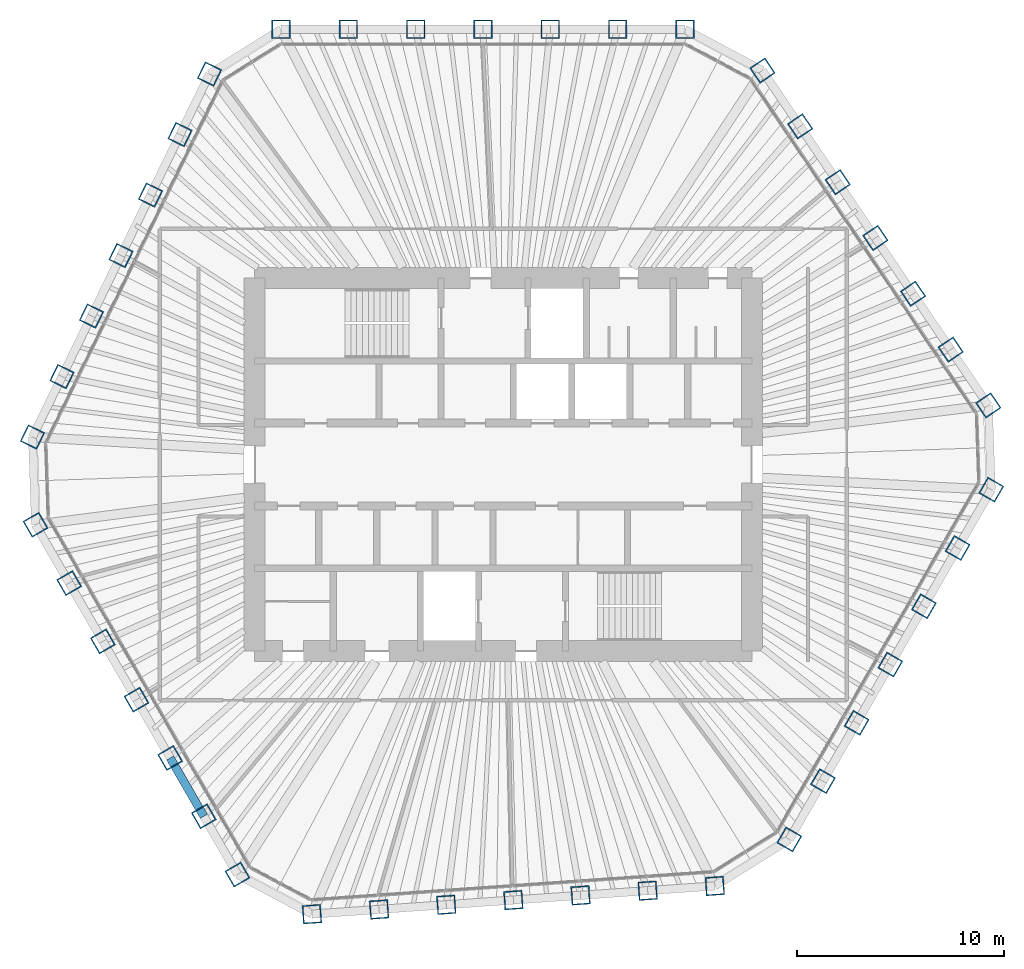
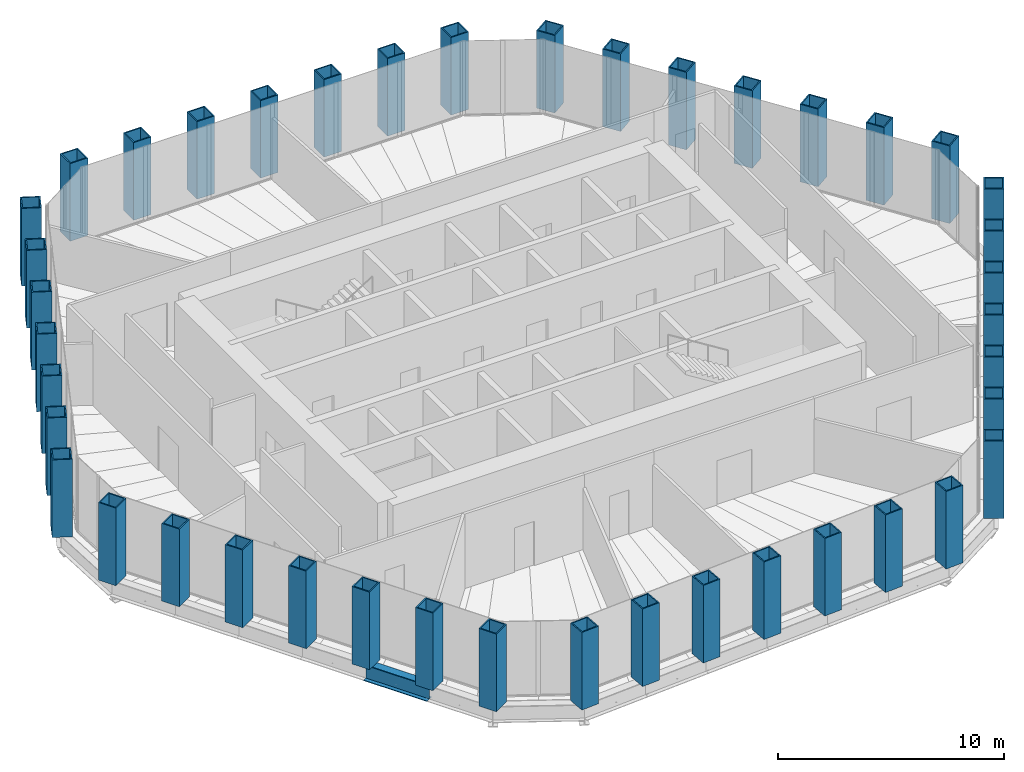
# One storey, part 1 of 14: 42 columns, 1 beam.
"""IFC4 building model written with IfcOpenShell, lengths in metres."""

from ifc_helpers import new_model, si_unit, direction, frame, origin, origin_2d, place, context, subcontext, project, spatial, hollow_rectangle, i_section, extrude, material, material_profile, profile_set, type_object, element, save


model = new_model("IFC4")

# Units and contexts
model_context = context("Model", 3, precision=1e-05, world=origin(), true_north=direction((0.0, 1.0)))
body_context = subcontext(model_context, "Body", "Model", "MODEL_VIEW")
ifc_project = project(units=[si_unit("LENGTHUNIT", "METRE"), si_unit("AREAUNIT", "SQUARE_METRE"), si_unit("VOLUMEUNIT", "CUBIC_METRE"), si_unit("PLANEANGLEUNIT", "RADIAN"), si_unit("MASSUNIT", "GRAM", prefix="KILO")], contexts=[model_context])

# Site, building, storey
site_placement = place(None, origin())
site = spatial("IfcSite", under=ifc_project, at=site_placement, CompositionType="ELEMENT")
building_placement = place(site_placement, origin())
building = spatial("IfcBuilding", under=site, at=building_placement, Name="Qingtian Harvest Tower", CompositionType="ELEMENT")
storey_placement = place(building_placement, frame((0.0, 0.0, 291.39990234375)))
storey = spatial("IfcBuildingStorey", under=building, at=storey_placement, Name="L64", CompositionType="ELEMENT", Elevation=291.39990234375)

# Columns
ifc_material_1 = material(Name="Steel SM570MC", Category="steel")
ifc_material_profile_1 = material_profile(ifc_material_1, hollow_rectangle(XDim=0.89990234375, YDim=0.89990234375, WallThickness=0.06005859375, at=origin_2d()), Name="BOX900x900x60")
ifc_profile_set_1 = profile_set([ifc_material_profile_1], Name="Steel SM570MC")
column_type = type_object("IfcColumnType", Name="Tube column TC7 BOX900x900x60", PredefinedType="COLUMN", material=ifc_profile_set_1)
for number, where, z_axis, x_axis, name in (
    (1, (-10.72216796875, 21.0, 0.0), (0.0, 0.0, 1.0), (-1.0, 0.0, 0.0), "Tube column TC7 N0"),
    (2, (-7.47412109375, 21.0, 0.0), (0.0, 0.0, 1.0), (-1.0, 0.0, 0.0), "Tube column TC7 N1"),
    (3, (-4.226318359375, 21.0, 0.0), (0.0, 0.0, 1.0), (-1.0, 0.0, 0.0), "Tube column TC7 N2"),
    (4, (-0.978271484375, 21.0, 0.0), (0.0, 0.0, 1.0), (-1.0, 0.0, 0.0), "Tube column TC7 N3"),
    (5, (2.269775390625, 21.0, 0.0), (0.0, 0.0, 1.0), (-1.0, 0.0, 0.0), "Tube column TC7 N4"),
    (6, (5.517822265625, 21.0, 0.0), (0.0, 0.0, 1.0), (-1.0, 0.0, 0.0), "Tube column TC7 N5"),
    (7, (8.765869140625, 21.0, 0.0), (0.0, 0.0, 1.0), (-1.0, 0.0, 0.0), "Tube column TC7 N6"),
    (8, (12.508056640625, 19.01025390625, 0.0), (0.0, 0.0, 1.0), (-0.559192903471, 0.829037572555, 0.0), "Tube column TC7 NE0"),
    (9, (14.32421875, 16.317626953125, 0.0), (0.0, 0.0, 1.0), (-0.559192903471, 0.829037572555, 0.0), "Tube column TC7 NE1"),
    (10, (16.140625, 13.624755859375, 0.0), (0.0, 0.0, 1.0), (-0.559192903471, 0.829037572555, 0.0), "Tube column TC7 NE2"),
    (11, (17.956787109375, 10.93212890625, 0.0), (0.0, 0.0, 1.0), (-0.559192903471, 0.829037572555, 0.0), "Tube column TC7 NE3"),
    (12, (19.77294921875, 8.2392578125, 0.0), (0.0, 0.0, 1.0), (-0.559192903471, 0.829037572555, 0.0), "Tube column TC7 NE4"),
    (13, (21.58935546875, 5.546630859375, 0.0), (0.0, 0.0, 1.0), (-0.559192903471, 0.829037572555, 0.0), "Tube column TC7 NE5"),
    (14, (23.405517578125, 2.85400390625, 0.0), (0.0, 0.0, 1.0), (-0.559192903471, 0.829037572555, 0.0), "Tube column TC7 NE6"),
    (15, (23.547607421875, -1.21435546875, 0.0), (0.0, 0.0, 1.0), (0.5, 0.866025403784, 0.0), "Tube column TC7 SE0"),
    (16, (21.923583984375, -4.027099609375, 0.0), (0.0, 0.0, 1.0), (0.5, 0.866025403784, 0.0), "Tube column TC7 SE1"),
    (17, (20.299560546875, -6.840087890625, 0.0), (0.0, 0.0, 1.0), (0.5, 0.866025403784, 0.0), "Tube column TC7 SE2"),
    (18, (18.675537109375, -9.65283203125, 0.0), (0.0, 0.0, 1.0), (0.5, 0.866025403784, 0.0), "Tube column TC7 SE3"),
    (19, (17.051513671875, -12.4658203125, 0.0), (0.0, 0.0, 1.0), (0.5, 0.866025403784, 0.0), "Tube column TC7 SE4"),
    (20, (15.427490234375, -15.278564453125, 0.0), (0.0, 0.0, 1.0), (0.5, 0.866025403784, 0.0), "Tube column TC7 SE5"),
    (21, (13.803466796875, -18.091552734375, 0.0), (0.0, 0.0, 1.0), (0.5, 0.866025403784, 0.0), "Tube column TC7 SE6"),
    (22, (10.20947265625, -20.33740234375, 0.0), (0.0, 0.0, 1.0), (0.99756405026, 0.069756473744, 0.0), "Tube column TC7 S0"),
    (23, (6.96923828125, -20.56396484375, 0.0), (0.0, 0.0, 1.0), (0.99756405026, 0.069756473744, 0.0), "Tube column TC7 S1"),
    (24, (3.729248046875, -20.79052734375, 0.0), (0.0, 0.0, 1.0), (0.99756405026, 0.069756473744, 0.0), "Tube column TC7 S2"),
    (25, (0.489013671875, -21.01708984375, 0.0), (0.0, 0.0, 1.0), (0.99756405026, 0.069756473744, 0.0), "Tube column TC7 S3"),
    (26, (-2.7509765625, -21.24365234375, 0.0), (0.0, 0.0, 1.0), (0.99756405026, 0.069756473744, 0.0), "Tube column TC7 S4"),
    (27, (-5.9912109375, -21.47021484375, 0.0), (0.0, 0.0, 1.0), (0.99756405026, 0.069756473744, 0.0), "Tube column TC7 S5"),
    (28, (-9.231201171875, -21.69677734375, 0.0), (0.0, 0.0, 1.0), (0.99756405026, 0.069756473744, 0.0), "Tube column TC7 S6"),
    (29, (-12.825439453125, -19.78564453125, 0.0), (0.0, 0.0, 1.0), (0.5, -0.866025403784, 0.0), "Tube column TC7 SW0"),
    (30, (-14.449462890625, -16.972900390625, 0.0), (0.0, 0.0, 1.0), (0.5, -0.866025403784, 0.0), "Tube column TC7 SW1"),
    (31, (-16.073486328125, -14.159912109375, 0.0), (0.0, 0.0, 1.0), (0.5, -0.866025403784, 0.0), "Tube column TC7 SW2"),
    (32, (-17.697509765625, -11.34716796875, 0.0), (0.0, 0.0, 1.0), (0.5, -0.866025403784, 0.0), "Tube column TC7 SW3"),
    (33, (-19.321533203125, -8.5341796875, 0.0), (0.0, 0.0, 1.0), (0.5, -0.866025403784, 0.0), "Tube column TC7 SW4"),
    (34, (-20.945556640625, -5.721435546875, 0.0), (0.0, 0.0, 1.0), (0.5, -0.866025403784, 0.0), "Tube column TC7 SW5"),
    (35, (-22.569580078125, -2.908447265625, 0.0), (0.0, 0.0, 1.0), (0.5, -0.866025403784, 0.0), "Tube column TC7 SW6"),
    (36, (-22.71728515625, 1.3271484375, 0.0), (0.0, 0.0, 1.0), (-0.438371146789, -0.898794046299, 0.0), "Tube column TC7 NW0"),
    (37, (-21.29345703125, 4.246337890625, 0.0), (0.0, 0.0, 1.0), (-0.438371146789, -0.898794046299, 0.0), "Tube column TC7 NW1"),
    (38, (-19.86962890625, 7.165771484375, 0.0), (0.0, 0.0, 1.0), (-0.438371146789, -0.898794046299, 0.0), "Tube column TC7 NW2"),
    (39, (-18.44580078125, 10.0849609375, 0.0), (0.0, 0.0, 1.0), (-0.438371146789, -0.898794046299, 0.0), "Tube column TC7 NW3"),
    (40, (-17.02197265625, 13.00439453125, 0.0), (0.0, 0.0, 1.0), (-0.438371146789, -0.898794046299, 0.0), "Tube column TC7 NW4"),
    (41, (-15.59814453125, 15.923583984375, 0.0), (0.0, 0.0, 1.0), (-0.438371146789, -0.898794046299, 0.0), "Tube column TC7 NW5"),
    (42, (-14.17431640625, 18.8427734375, 0.0), (0.0, 0.0, 1.0), (-0.438371146789, -0.898794046299, 0.0), "Tube column TC7 NW6"),
):
    element("IfcColumn", number, at=place(storey_placement, frame(where, z_axis=z_axis, x_axis=x_axis)), inside=storey, type_object=column_type, Name=name, PredefinedType="COLUMN", context=body_context, shape_type="SweptSolid", body=[
        extrude(hollow_rectangle(XDim=0.89990234375, YDim=0.89990234375, WallThickness=0.06005859375, at=origin_2d()), origin(), (0.0, 0.0, 1.0), 4.2001953125),
    ])

# Beam
ifc_material_2 = material(Name="Steel SN490B", Category="steel")
ifc_material_profile_2 = material_profile(ifc_material_2, i_section(OverallWidth=0.39990234375, OverallDepth=0.89990234375, WebThickness=0.01904296875, FlangeThickness=0.035888671875, at=origin_2d()), Name="H900x400x19x36")
ifc_profile_set_2 = profile_set([ifc_material_profile_2], Name="Steel SN490B")
beam_type = type_object("IfcBeamType", Name="Spandrel beam SB4 H900x400x19x36", PredefinedType="SPANDREL", material=ifc_profile_set_2)
beam_placement = place(storey_placement, frame((-14.449462890625, -16.972900390625, -0.449951171875), z_axis=(-0.499987045439, 0.866032882975, 0.0), x_axis=(-0.866032882975, -0.499987045439, 0.0)))
element("IfcBeam", 43, at=beam_placement, inside=storey, type_object=beam_type, Name="Spandrel SB4 SW1", PredefinedType="SPANDREL", context=body_context, shape_type="SweptSolid", body=[
    extrude(i_section(OverallWidth=0.39990234375, OverallDepth=0.89990234375, WebThickness=0.01904296875, FlangeThickness=0.035888671875, at=origin_2d()), origin(), (0.0, 0.0, 1.0), 3.248046875),
])

save(model, "model.ifc")
